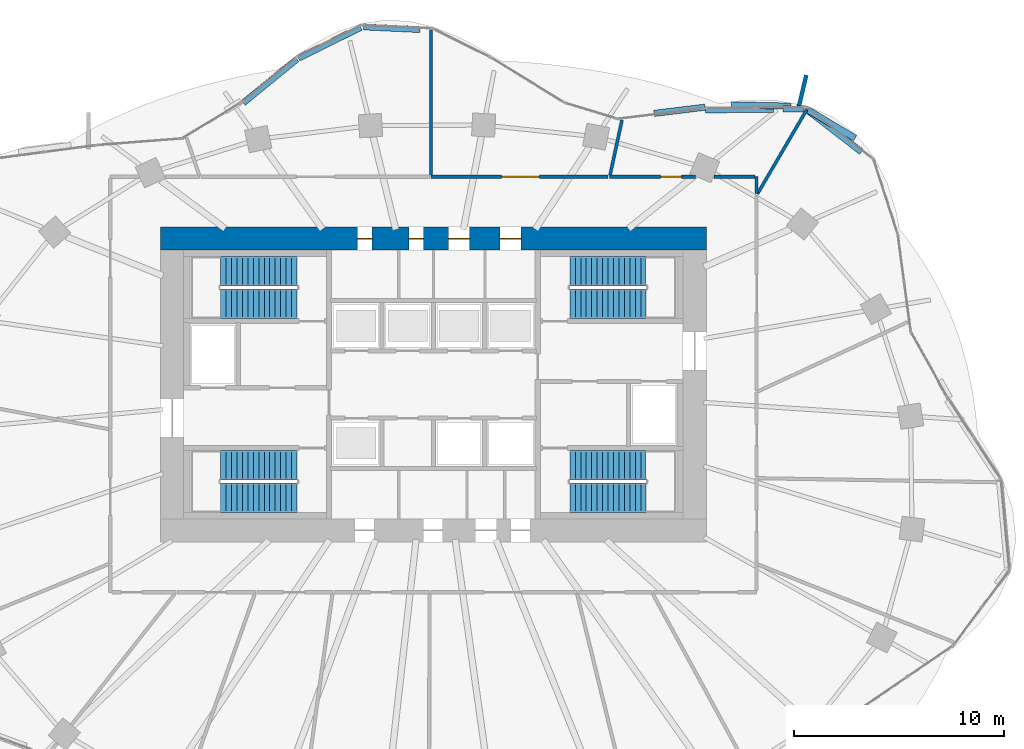
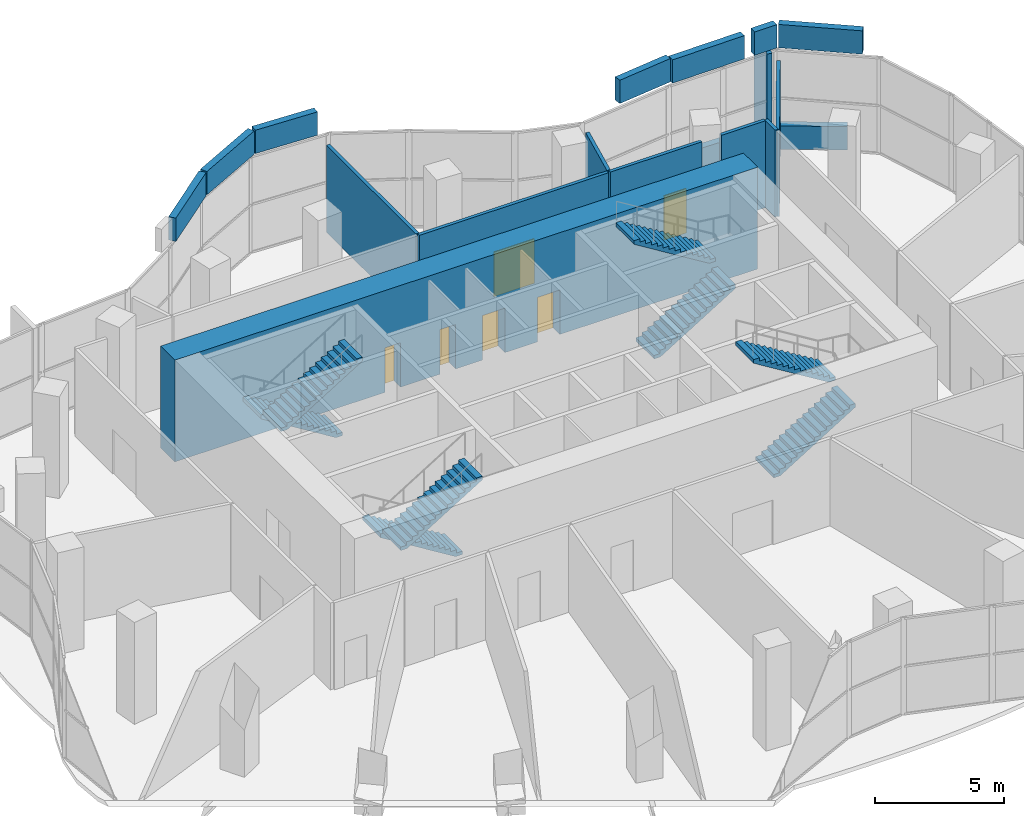
# One storey, part 14 of 16: 18 walls, 8 stair flights, 6 doors, 6 openings, 4 elements without a shape of their own.
"""IFC4 building model written with IfcOpenShell, lengths in metres."""

from ifc_helpers import new_model, si_unit, direction, frame, frame_2d, origin, place, context, subcontext, project, spatial, polyline, rectangle, outline, extrude, material, layer, layer_set, type_object, element, fill, aggregate, save


model = new_model("IFC4")

# Units and contexts
model_context = context("Model", 3, precision=1e-05, world=origin(), true_north=direction((0.0, 1.0)))
body_context = subcontext(model_context, "Body", "Model", "MODEL_VIEW")
ifc_project = project(units=[si_unit("LENGTHUNIT", "METRE"), si_unit("AREAUNIT", "SQUARE_METRE"), si_unit("VOLUMEUNIT", "CUBIC_METRE"), si_unit("PLANEANGLEUNIT", "RADIAN"), si_unit("MASSUNIT", "GRAM", prefix="KILO")], contexts=[model_context])

# Site, building, storey
site_placement = place(None, origin())
site = spatial("IfcSite", under=ifc_project, at=site_placement, CompositionType="ELEMENT")
building_placement = place(site_placement, origin())
building = spatial("IfcBuilding", under=site, at=building_placement, Name="Rubra Terraces Tower", CompositionType="ELEMENT")
storey_placement = place(building_placement, frame((0.0, 0.0, 125.699951171875)))
storey = spatial("IfcBuildingStorey", under=building, at=storey_placement, Name="L30", CompositionType="ELEMENT", Elevation=125.699951171875)

# Walls
ifc_material_1 = material(Name="Brick masonry red-brown", Category="masonry")
ifc_layer_1 = layer(ifc_material_1, 0.300048828125)
ifc_layer_set_1 = layer_set([ifc_layer_1], Name="Brick masonry red-brown")
wall_type_1 = type_object("IfcWallType", Name="Brick edge guard 300", PredefinedType="PARAPET", material=ifc_layer_set_1)
wall_1_placement = place(storey_placement, frame((14.20849609375, 17.82421875, 0.0), z_axis=(0.0, 0.0, 1.0), x_axis=(0.999761139516, -0.021855523663, 0.0)))
element("IfcWall", 1, at=wall_1_placement, inside=storey, type_object=wall_type_1, Name="Edge guard L30.1", PredefinedType="PARAPET", context=body_context, shape_type="SweptSolid", body=[
    extrude(rectangle(XDim=2.83740234375, YDim=0.300048828125, at=frame_2d((1.418701171875, 0.0))), origin(), (0.0, 0.0, 1.0), 1.10009765625),
])
wall_2_placement = place(storey_placement, frame((17.755615234375, 17.63720703125, 0.0), z_axis=(0.0, 0.0, 1.0), x_axis=(0.857429569369, -0.514601334599, 0.0)))
element("IfcWall", 2, at=wall_2_placement, inside=storey, type_object=wall_type_1, Name="Edge guard L30.2", PredefinedType="PARAPET", context=body_context, shape_type="SweptSolid", body=[
    extrude(rectangle(XDim=2.720458984375, YDim=0.300048828125, at=frame_2d((1.3603515625, 0.0))), origin(), (0.0, 0.0, 1.0), 1.10009765625),
])
ifc_layer_2 = layer(ifc_material_1, 0.300048828125)
ifc_layer_set_2 = layer_set([ifc_layer_2], Name="Brick masonry red-brown")
wall_type_2 = type_object("IfcWallType", Name="Brick parapet 300", PredefinedType="PARAPET", material=ifc_layer_set_2)
wall_3_placement = place(storey_placement, frame((20.3955078125, 15.58447265625, 4.800048828125), z_axis=(0.0, 0.0, 1.0), x_axis=(-0.791653544836, 0.610970265191, 0.0)))
element("IfcWall", 3, at=wall_3_placement, inside=storey, type_object=wall_type_2, Name="Parapet L30 bay 5", PredefinedType="PARAPET", context=body_context, shape_type="SweptSolid", body=[
    extrude(rectangle(XDim=3.276611328125, YDim=0.300048828125, at=frame_2d((1.63818359375, 0.0))), origin(), (0.0, 0.0, 1.0), 1.10009765625),
])
wall_4_placement = place(storey_placement, frame((17.654541015625, 17.6357421875, 4.800048828125), z_axis=(0.0, 0.0, 1.0), x_axis=(-0.999949189172, -0.010080628659, 0.0)))
element("IfcWall", 4, at=wall_4_placement, inside=storey, type_object=wall_type_2, Name="Parapet L30 bay 6", PredefinedType="PARAPET", context=body_context, shape_type="SweptSolid", body=[
    extrude(rectangle(XDim=0.992919921875, YDim=0.300048828125, at=frame_2d((0.49658203125, 0.0))), origin(), (0.0, 0.0, 1.0), 1.10009765625),
])
wall_5_placement = place(storey_placement, frame((16.20458984375, 17.62109375, 4.800048828125), z_axis=(0.0, 0.0, 1.0), x_axis=(-0.999950267811, -0.009973058961, 0.0)))
element("IfcWall", 5, at=wall_5_placement, inside=storey, type_object=wall_type_2, Name="Parapet L30 bay 6.2", PredefinedType="PARAPET", context=body_context, shape_type="SweptSolid", body=[
    extrude(rectangle(XDim=3.2314453125, YDim=0.300048828125, at=frame_2d((1.61572265625, 0.0))), origin(), (0.0, 0.0, 1.0), 1.10009765625),
])
wall_6_placement = place(storey_placement, frame((12.9423828125, 17.71435546875, 4.800048828125), z_axis=(0.0, 0.0, 1.0), x_axis=(-0.992648796767, -0.121030435331, 0.0)))
element("IfcWall", 6, at=wall_6_placement, inside=storey, type_object=wall_type_2, Name="Parapet L30 bay 7", PredefinedType="PARAPET", context=body_context, shape_type="SweptSolid", body=[
    extrude(rectangle(XDim=2.450927734375, YDim=0.300048828125, at=frame_2d((1.2255859375, 0.0))), origin(), (0.0, 0.0, 1.0), 1.10009765625),
])
wall_7_placement = place(storey_placement, frame((-0.639892578125, 21.416748046875, 4.800048828125), z_axis=(0.0, 0.0, 1.0), x_axis=(-0.998902248936, 0.046843324728, 0.0)))
element("IfcWall", 7, at=wall_7_placement, inside=storey, type_object=wall_type_2, Name="Parapet L30 bay 11", PredefinedType="PARAPET", context=body_context, shape_type="SweptSolid", body=[
    extrude(rectangle(XDim=2.69970703125, YDim=0.300048828125, at=frame_2d((1.349853515625, 0.0))), origin(), (0.0, 0.0, 1.0), 1.10009765625),
])
wall_8_placement = place(storey_placement, frame((-3.467041015625, 21.515869140625, 4.800048828125), z_axis=(0.0, 0.0, 1.0), x_axis=(-0.896532590338, -0.442977781003, 0.0)))
element("IfcWall", 8, at=wall_8_placement, inside=storey, type_object=wall_type_2, Name="Parapet L30 bay 12", PredefinedType="PARAPET", context=body_context, shape_type="SweptSolid", body=[
    extrude(rectangle(XDim=3.30078125, YDim=0.300048828125, at=frame_2d((1.650390625, 0.0))), origin(), (0.0, 0.0, 1.0), 1.10009765625),
])
wall_9_placement = place(storey_placement, frame((-6.5048828125, 20.00341796875, 4.800048828125), z_axis=(0.0, 0.0, 1.0), x_axis=(-0.774774389425, -0.632237807705, 0.0)))
element("IfcWall", 9, at=wall_9_placement, inside=storey, type_object=wall_type_2, Name="Parapet L30 bay 13", PredefinedType="PARAPET", context=body_context, shape_type="SweptSolid", body=[
    extrude(rectangle(XDim=3.298828125, YDim=0.300048828125, at=frame_2d((1.6494140625, 0.0))), origin(), (0.0, 0.0, 1.0), 1.10009765625),
])
ifc_layer_3 = layer(ifc_material_1, 0.199951171875)
ifc_layer_set_3 = layer_set([ifc_layer_3], Name="Brick masonry red-brown")
wall_type_3 = type_object("IfcWallType", Name="Brick wind fin 200", PredefinedType="SOLIDWALL", material=ifc_layer_set_3)
wall_10_placement = place(storey_placement, frame((17.362060546875, 17.5380859375, 0.0), z_axis=(0.0, 0.0, 1.0), x_axis=(0.230469860183, 0.973079464148, 0.0)))
element("IfcWall", 10, at=wall_10_placement, inside=storey, type_object=wall_type_3, Name="Wind fin L30 3", PredefinedType="SOLIDWALL", context=body_context, shape_type="SweptSolid", body=[
    extrude(rectangle(XDim=1.75, YDim=0.199951171875, at=frame_2d((0.875, 0.0))), origin(), (0.0, 0.0, 1.0), 4.60009765625),
])

# Wall, openings, doors
ifc_material_2 = material(Name="Concrete C60", Category="concrete")
ifc_layer_4 = layer(ifc_material_2, 1.10009765625)
ifc_layer_set_4 = layer_set([ifc_layer_4], Name="Concrete C60")
wall_type_4 = type_object("IfcWallType", Name="CORE WALL 1100 C60", PredefinedType="SHEAR", material=ifc_layer_set_4)
wall_11_placement = place(storey_placement, frame((-13.0, 11.449951171875, 0.0), z_axis=(0.0, 0.0, 1.0), x_axis=(1.0, 0.0, 0.0)))
wall_11 = element("IfcWall", 11, at=wall_11_placement, inside=storey, type_object=wall_type_4, Name="CORE WALL N L30", PredefinedType="SHEAR", context=body_context, shape_type="SweptSolid", body=[
    extrude(rectangle(XDim=26.0, YDim=1.10009765625, at=frame_2d((13.0, 0.0))), origin(), (0.0, 0.0, 1.0), 4.800048828125),
])
opening_1_placement = place(wall_11_placement, frame((9.375, 0.0, 0.0)))
opening_1 = element("IfcOpeningElement", 12, at=opening_1_placement, cuts=wall_11, Name="Opening L30.C25", PredefinedType="OPENING", context=body_context, shape_type="SweptSolid", body=[
    extrude(rectangle(XDim=0.699951171875, YDim=2.10009765625, at=frame_2d((0.35009765625, 1.050048828125))), frame((0.0, 0.56005859375, 0.0), z_axis=(0.0, -1.0, 0.0), x_axis=(1.0, 0.0, 0.0)), (0.0, 0.0, 1.0), 1.1201171875),
])
opening_2_placement = place(wall_11_placement, frame((11.824951171875, 0.0, 0.0)))
opening_2 = element("IfcOpeningElement", 13, at=opening_2_placement, cuts=wall_11, Name="Opening L30.C26", PredefinedType="OPENING", context=body_context, shape_type="SweptSolid", body=[
    extrude(rectangle(XDim=0.699951171875, YDim=2.10009765625, at=frame_2d((0.35009765625, 1.050048828125))), frame((0.0, 0.56005859375, 0.0), z_axis=(0.0, -1.0, 0.0), x_axis=(1.0, 0.0, 0.0)), (0.0, 0.0, 1.0), 1.1201171875),
])
opening_3_placement = place(wall_11_placement, frame((13.72509765625, 0.0, 0.0)))
opening_3 = element("IfcOpeningElement", 14, at=opening_3_placement, cuts=wall_11, Name="Opening L30.C27", PredefinedType="OPENING", context=body_context, shape_type="SweptSolid", body=[
    extrude(rectangle(XDim=1.0, YDim=2.10009765625, at=frame_2d((0.5, 1.050048828125))), frame((0.0, 0.56005859375, 0.0), z_axis=(0.0, -1.0, 0.0), x_axis=(1.0, 0.0, 0.0)), (0.0, 0.0, 1.0), 1.1201171875),
])
opening_4_placement = place(wall_11_placement, frame((16.175048828125, 0.0, 0.0)))
opening_4 = element("IfcOpeningElement", 15, at=opening_4_placement, cuts=wall_11, Name="Opening L30.C28", PredefinedType="OPENING", context=body_context, shape_type="SweptSolid", body=[
    extrude(rectangle(XDim=1.0, YDim=2.10009765625, at=frame_2d((0.5, 1.050048828125))), frame((0.0, 0.56005859375, 0.0), z_axis=(0.0, -1.0, 0.0), x_axis=(1.0, 0.0, 0.0)), (0.0, 0.0, 1.0), 1.1201171875),
])
ifc_material_3 = material(Name="Painted steel", Category="steel")
door_type_1 = type_object("IfcDoorType", Name="Fire door 1000x2100 single", OperationType="NOTDEFINED", PredefinedType="DOOR", material=ifc_material_3)
door_1_placement = place(opening_3_placement, origin())
door_1 = element("IfcDoor", 16, at=door_1_placement, inside=storey, type_object=door_type_1, Name="Security and building control room door", OperationType="SINGLE_SWING_LEFT", OverallHeight=2.10009765625, OverallWidth=1.0, PredefinedType="DOOR", context=body_context, shape_type="SweptSolid", body=[
    extrude(rectangle(XDim=1.0, YDim=2.10009765625, at=frame_2d((0.5, 1.050048828125))), frame((0.0, 0.02490234375, 0.0), z_axis=(0.0, -1.0, 0.0), x_axis=(1.0, 0.0, 0.0)), (0.0, 0.0, 1.0), 0.050048828125),
])
fill(opening_3, door_1)
door_2_placement = place(opening_4_placement, origin())
door_2 = element("IfcDoor", 17, at=door_2_placement, inside=storey, type_object=door_type_1, Name="General store door", OperationType="SINGLE_SWING_RIGHT", OverallHeight=2.10009765625, OverallWidth=1.0, PredefinedType="DOOR", context=body_context, shape_type="SweptSolid", body=[
    extrude(rectangle(XDim=1.0, YDim=2.10009765625, at=frame_2d((0.5, 1.050048828125))), frame((0.0, 0.02490234375, 0.0), z_axis=(0.0, -1.0, 0.0), x_axis=(1.0, 0.0, 0.0)), (0.0, 0.0, 1.0), 0.050048828125),
])
fill(opening_4, door_2)
door_type_2 = type_object("IfcDoorType", Name="Riser access door 700x2100 single", OperationType="NOTDEFINED", PredefinedType="DOOR", material=ifc_material_3)
door_3_placement = place(opening_1_placement, origin())
door_3 = element("IfcDoor", 18, at=door_3_placement, inside=storey, type_object=door_type_2, Name="Electrical riser room door", OperationType="SINGLE_SWING_LEFT", OverallHeight=2.10009765625, OverallWidth=0.699951171875, PredefinedType="DOOR", context=body_context, shape_type="SweptSolid", body=[
    extrude(rectangle(XDim=0.699951171875, YDim=2.10009765625, at=frame_2d((0.35009765625, 1.050048828125))), frame((0.0, 0.02490234375, 0.0), z_axis=(0.0, -1.0, 0.0), x_axis=(1.0, 0.0, 0.0)), (0.0, 0.0, 1.0), 0.050048828125),
])
fill(opening_1, door_3)
door_4_placement = place(opening_2_placement, origin())
door_4 = element("IfcDoor", 19, at=door_4_placement, inside=storey, type_object=door_type_2, Name="Telecoms room door", OperationType="SINGLE_SWING_RIGHT", OverallHeight=2.10009765625, OverallWidth=0.699951171875, PredefinedType="DOOR", context=body_context, shape_type="SweptSolid", body=[
    extrude(rectangle(XDim=0.699951171875, YDim=2.10009765625, at=frame_2d((0.35009765625, 1.050048828125))), frame((0.0, 0.02490234375, 0.0), z_axis=(0.0, -1.0, 0.0), x_axis=(1.0, 0.0, 0.0)), (0.0, 0.0, 1.0), 0.050048828125),
])
fill(opening_2, door_4)

# Walls
ifc_material_4 = material(Name="Plasterboard on steel stud, mineral wool infill", Category="steel")
ifc_layer_5 = layer(ifc_material_4, 0.14990234375)
ifc_layer_set_5 = layer_set([ifc_layer_5], Name="Plasterboard on steel stud, mineral wool infill")
wall_type_5 = type_object("IfcWallType", Name="CORRIDOR PARTITION 150", PredefinedType="PARTITIONING", material=ifc_layer_set_5)
wall_12_placement = place(storey_placement, frame((15.39990234375, 13.5927734375, 0.0), z_axis=(0.0, 0.0, 1.0), x_axis=(0.0, 1.0, 0.0)))
element("IfcWall", 20, at=wall_12_placement, inside=storey, type_object=wall_type_5, Name="PARTITION", PredefinedType="PARTITIONING", context=body_context, shape_type="SweptSolid", body=[
    extrude(rectangle(XDim=0.80712890625, YDim=0.14990234375, at=frame_2d((0.403564453125, 0.0))), origin(), (0.0, 0.0, 1.0), 4.09814453125),
])
wall_13_placement = place(storey_placement, frame((15.324951171875, 14.39990234375, 0.0), z_axis=(0.0, 0.0, 1.0), x_axis=(-1.0, 0.0, 0.0)))
element("IfcWall", 21, at=wall_13_placement, inside=storey, type_object=wall_type_5, Name="PARTITION", PredefinedType="PARTITIONING", context=body_context, shape_type="SweptSolid", body=[
    extrude(rectangle(XDim=1.961669921875, YDim=0.14990234375, at=frame_2d((0.98095703125, 0.0))), origin(), (0.0, 0.0, 1.0), 4.09814453125),
])

# Wall, opening, door
wall_14_placement = place(storey_placement, frame((12.485107421875, 14.39990234375, 0.0), z_axis=(0.0, 0.0, 1.0), x_axis=(-1.0, 0.0, 0.0)))
wall_14 = element("IfcWall", 22, at=wall_14_placement, inside=storey, type_object=wall_type_5, Name="PARTITION", PredefinedType="PARTITIONING", context=body_context, shape_type="SweptSolid", body=[
    extrude(rectangle(XDim=4.08544921875, YDim=0.14990234375, at=frame_2d((2.042724609375, 0.0))), origin(), (0.0, 0.0, 1.0), 4.09814453125),
])
opening_5_placement = place(wall_14_placement, frame((0.659912109375, 0.0, 0.0)))
opening_5 = element("IfcOpeningElement", 23, at=opening_5_placement, cuts=wall_14, Name="Opening 30-113", PredefinedType="OPENING", context=body_context, shape_type="SweptSolid", body=[
    extrude(rectangle(XDim=1.0, YDim=2.10009765625, at=frame_2d((0.5, 1.050048828125))), frame((0.0, 0.0849609375, 0.0), z_axis=(0.0, -1.0, 0.0), x_axis=(1.0, 0.0, 0.0)), (0.0, 0.0, 1.0), 0.169921875),
])
ifc_material_5 = material(Name="Painted timber door leaf", Category="wood")
door_type_3 = type_object("IfcDoorType", Name="ROOM DOOR 1000 X 2100", OperationType="SINGLE_SWING_LEFT", PredefinedType="DOOR", material=ifc_material_5)
door_5_placement = place(opening_5_placement, origin())
door_5 = element("IfcDoor", 24, at=door_5_placement, inside=storey, type_object=door_type_3, Name="DOOR 30-113", OperationType="SINGLE_SWING_RIGHT", OverallHeight=2.10009765625, OverallWidth=1.0, PredefinedType="DOOR", context=body_context, shape_type="SweptSolid", body=[
    extrude(rectangle(XDim=1.0, YDim=2.10009765625, at=frame_2d((0.5, 1.050048828125))), frame((0.0, 0.02490234375, 0.0), z_axis=(0.0, -1.0, 0.0), x_axis=(1.0, 0.0, 0.0)), (0.0, 0.0, 1.0), 0.050048828125),
])
fill(opening_5, door_5)

wall_15_placement = place(storey_placement, frame((8.32470703125, 14.39990234375, 0.0), z_axis=(0.0, 0.0, 1.0), x_axis=(-1.0, 0.0, 0.0)))
wall_15 = element("IfcWall", 25, at=wall_15_placement, inside=storey, type_object=wall_type_5, Name="PARTITION", PredefinedType="PARTITIONING", context=body_context, shape_type="SweptSolid", body=[
    extrude(rectangle(XDim=8.434326171875, YDim=0.14990234375, at=frame_2d((4.21728515625, 0.0))), origin(), (0.0, 0.0, 1.0), 4.09814453125),
])
opening_6_placement = place(wall_15_placement, frame((3.280029296875, 0.0, 0.0)))
opening_6 = element("IfcOpeningElement", 26, at=opening_6_placement, cuts=wall_15, Name="Opening 30-114", PredefinedType="OPENING", context=body_context, shape_type="SweptSolid", body=[
    extrude(rectangle(XDim=1.800048828125, YDim=2.10009765625, at=frame_2d((0.89990234375, 1.050048828125))), frame((0.0, 0.0849609375, 0.0), z_axis=(0.0, -1.0, 0.0), x_axis=(1.0, 0.0, 0.0)), (0.0, 0.0, 1.0), 0.169921875),
])
ifc_material_6 = material(Name="Painted timber door leaf, double", Category="wood")
door_type_4 = type_object("IfcDoorType", Name="ROOM DOUBLE DOOR 1800 X 2100", OperationType="DOUBLE_DOOR_SINGLE_SWING", PredefinedType="DOOR", material=ifc_material_6)
door_6_placement = place(opening_6_placement, origin())
door_6 = element("IfcDoor", 27, at=door_6_placement, inside=storey, type_object=door_type_4, Name="DOOR 30-114", OperationType="DOUBLE_DOOR_SINGLE_SWING", OverallHeight=2.10009765625, OverallWidth=1.800048828125, PredefinedType="DOOR", context=body_context, shape_type="SweptSolid", body=[
    extrude(rectangle(XDim=1.800048828125, YDim=2.10009765625, at=frame_2d((0.89990234375, 1.050048828125))), frame((0.0, 0.02490234375, 0.0), z_axis=(0.0, -1.0, 0.0), x_axis=(1.0, 0.0, 0.0)), (0.0, 0.0, 1.0), 0.050048828125),
])
fill(opening_6, door_6)

# Walls
ifc_material_7 = material(Name="Plasterboard on steel stud", Category="steel")
ifc_layer_6 = layer(ifc_material_7, 0.14990234375)
ifc_layer_set_6 = layer_set([ifc_layer_6], Name="Plasterboard on steel stud")
wall_type_6 = type_object("IfcWallType", Name="ROOM PARTITION 150", PredefinedType="PARTITIONING", material=ifc_layer_set_6)
wall_16_placement = place(storey_placement, frame((17.783203125, 17.587890625, 0.0), z_axis=(0.0, 0.0, 1.0), x_axis=(-0.505276661202, -0.862957412417, 0.0)))
element("IfcWall", 28, at=wall_16_placement, inside=storey, type_object=wall_type_6, Name="PARTITION", PredefinedType="PARTITIONING", context=body_context, shape_type="SweptSolid", body=[
    extrude(rectangle(XDim=4.641357421875, YDim=0.14990234375, at=frame_2d((2.32080078125, 0.0))), origin(), (0.0, 0.0, 1.0), 4.09814453125),
])
wall_17_placement = place(storey_placement, frame((8.982421875, 17.095458984375, 0.0), z_axis=(0.0, 0.0, 1.0), x_axis=(-0.211318693695, -0.97741721373, 0.0)))
element("IfcWall", 29, at=wall_17_placement, inside=storey, type_object=wall_type_6, Name="PARTITION", PredefinedType="PARTITIONING", context=body_context, shape_type="SweptSolid", body=[
    extrude(rectangle(XDim=2.6826171875, YDim=0.14990234375, at=frame_2d((1.34130859375, 0.0))), origin(), (0.0, 0.0, 1.0), 4.09814453125),
])
wall_18_placement = place(storey_placement, frame((-0.116943359375, 21.38232421875, 0.0), z_axis=(0.0, 0.0, 1.0), x_axis=(0.001060369827, -0.999999437808, 0.0)))
element("IfcWall", 30, at=wall_18_placement, inside=storey, type_object=wall_type_6, Name="PARTITION", PredefinedType="PARTITIONING", context=body_context, shape_type="SweptSolid", body=[
    extrude(rectangle(XDim=6.9072265625, YDim=0.14990234375, at=frame_2d((3.45361328125, 0.0))), origin(), (0.0, 0.0, 1.0), 4.09814453125),
])

# Stair, stair flights
ifc_material_8 = material(Name="Concrete C40", Category="concrete")
stair_type = type_object("IfcStairType", Name="Core stair 1400", PredefinedType="HALF_TURN_STAIR", material=ifc_material_8)
stair_1_placement = place(storey_placement, origin())
stair_1 = element("IfcStair", 31, at=stair_1_placement, inside=storey, type_object=stair_type, Name="L30 Exit stair S1", PredefinedType="HALF_TURN_STAIR")
stair_flight_type = type_object("IfcStairFlightType", Name="Core stair flight 1400", PredefinedType="STRAIGHT", material=ifc_material_8)
stair_flight_1_placement = place(storey_placement, frame((-6.5, 0.64990234375, 0.0), z_axis=(0.0, 0.0, 1.0), x_axis=(-1.0, 0.0, 0.0)))
stair_flight_1 = element("IfcStairFlight", 32, at=stair_flight_1_placement, type_object=stair_flight_type, Name="S1 flight 1", NumberOfRisers=15, NumberOfTreads=14, PredefinedType="STRAIGHT", RiserHeight=0.16, TreadLength=0.26, context=body_context, shape_type="SweptSolid", body=[
    extrude(outline(polyline([(0.0, 0.0), (0.0, 0.159912109375), (0.260009765625, 0.159912109375), (0.260009765625, 0.320068359375), (0.52001953125, 0.320068359375), (0.52001953125, 0.47998046875), (0.780029296875, 0.47998046875), (0.780029296875, 0.639892578125), (1.0400390625, 0.639892578125), (1.0400390625, 0.800048828125), (1.300048828125, 0.800048828125), (1.300048828125, 0.9599609375), (1.56005859375, 0.9599609375), (1.56005859375, 1.1201171875), (1.820068359375, 1.1201171875), (1.820068359375, 1.280029296875), (2.080078125, 1.280029296875), (2.080078125, 1.43994140625), (2.340087890625, 1.43994140625), (2.340087890625, 1.60009765625), (2.60009765625, 1.60009765625), (2.60009765625, 1.760009765625), (2.860107421875, 1.760009765625), (2.860107421875, 1.919921875), (3.1201171875, 1.919921875), (3.1201171875, 2.080078125), (3.3798828125, 2.080078125), (3.3798828125, 2.239990234375), (3.639892578125, 2.239990234375), (3.639892578125, 2.39990234375), (3.639892578125, 2.06396484375), (0.2861328125, 0.0), (0.0, 0.0)])), frame((0.0, 0.699951171875, 0.0), z_axis=(0.0, -1.0, 0.0), x_axis=(1.0, 0.0, 0.0)), (0.0, 0.0, 1.0), 1.39990234375),
])
stair_flight_2_placement = place(storey_placement, frame((-10.139892578125, -0.89990234375, 2.400146484375), z_axis=(0.0, 0.0, 1.0), x_axis=(1.0, 0.0, 0.0)))
stair_flight_2 = element("IfcStairFlight", 33, at=stair_flight_2_placement, type_object=stair_flight_type, Name="S1 flight 2", NumberOfRisers=15, NumberOfTreads=14, PredefinedType="STRAIGHT", RiserHeight=0.16, TreadLength=0.26, context=body_context, shape_type="SweptSolid", body=[
    extrude(outline(polyline([(0.0, 0.0), (0.0, 0.159912109375), (0.260009765625, 0.159912109375), (0.260009765625, 0.320068359375), (0.52001953125, 0.320068359375), (0.52001953125, 0.47998046875), (0.780029296875, 0.47998046875), (0.780029296875, 0.639892578125), (1.0400390625, 0.639892578125), (1.0400390625, 0.800048828125), (1.300048828125, 0.800048828125), (1.300048828125, 0.9599609375), (1.56005859375, 0.9599609375), (1.56005859375, 1.1201171875), (1.820068359375, 1.1201171875), (1.820068359375, 1.280029296875), (2.080078125, 1.280029296875), (2.080078125, 1.43994140625), (2.340087890625, 1.43994140625), (2.340087890625, 1.60009765625), (2.60009765625, 1.60009765625), (2.60009765625, 1.760009765625), (2.860107421875, 1.760009765625), (2.860107421875, 1.919921875), (3.1201171875, 1.919921875), (3.1201171875, 2.080078125), (3.3798828125, 2.080078125), (3.3798828125, 2.239990234375), (3.639892578125, 2.239990234375), (3.639892578125, 2.39990234375), (3.639892578125, 2.06396484375), (0.2861328125, 0.0), (0.0, 0.0)])), frame((0.0, 0.699951171875, 0.0), z_axis=(0.0, -1.0, 0.0), x_axis=(1.0, 0.0, 0.0)), (0.0, 0.0, 1.0), 1.39990234375),
])
aggregate(stair_1, [stair_flight_1, stair_flight_2])

stair_2_placement = place(storey_placement, origin())
stair_2 = element("IfcStair", 34, at=stair_2_placement, inside=storey, type_object=stair_type, Name="L30 Exit stair S2", PredefinedType="HALF_TURN_STAIR")
stair_flight_3_placement = place(storey_placement, frame((-6.5, 9.89990234375, 0.0), z_axis=(0.0, 0.0, 1.0), x_axis=(-1.0, 0.0, 0.0)))
stair_flight_3 = element("IfcStairFlight", 35, at=stair_flight_3_placement, type_object=stair_flight_type, Name="S2 flight 1", NumberOfRisers=15, NumberOfTreads=14, PredefinedType="STRAIGHT", RiserHeight=0.16, TreadLength=0.26, context=body_context, shape_type="SweptSolid", body=[
    extrude(outline(polyline([(0.0, 0.0), (0.0, 0.159912109375), (0.260009765625, 0.159912109375), (0.260009765625, 0.320068359375), (0.52001953125, 0.320068359375), (0.52001953125, 0.47998046875), (0.780029296875, 0.47998046875), (0.780029296875, 0.639892578125), (1.0400390625, 0.639892578125), (1.0400390625, 0.800048828125), (1.300048828125, 0.800048828125), (1.300048828125, 0.9599609375), (1.56005859375, 0.9599609375), (1.56005859375, 1.1201171875), (1.820068359375, 1.1201171875), (1.820068359375, 1.280029296875), (2.080078125, 1.280029296875), (2.080078125, 1.43994140625), (2.340087890625, 1.43994140625), (2.340087890625, 1.60009765625), (2.60009765625, 1.60009765625), (2.60009765625, 1.760009765625), (2.860107421875, 1.760009765625), (2.860107421875, 1.919921875), (3.1201171875, 1.919921875), (3.1201171875, 2.080078125), (3.3798828125, 2.080078125), (3.3798828125, 2.239990234375), (3.639892578125, 2.239990234375), (3.639892578125, 2.39990234375), (3.639892578125, 2.06396484375), (0.2861328125, 0.0), (0.0, 0.0)])), frame((0.0, 0.699951171875, 0.0), z_axis=(0.0, -1.0, 0.0), x_axis=(1.0, 0.0, 0.0)), (0.0, 0.0, 1.0), 1.39990234375),
])
stair_flight_4_placement = place(storey_placement, frame((-10.139892578125, 8.35009765625, 2.400146484375), z_axis=(0.0, 0.0, 1.0), x_axis=(1.0, 0.0, 0.0)))
stair_flight_4 = element("IfcStairFlight", 36, at=stair_flight_4_placement, type_object=stair_flight_type, Name="S2 flight 2", NumberOfRisers=15, NumberOfTreads=14, PredefinedType="STRAIGHT", RiserHeight=0.16, TreadLength=0.26, context=body_context, shape_type="SweptSolid", body=[
    extrude(outline(polyline([(0.0, 0.0), (0.0, 0.159912109375), (0.260009765625, 0.159912109375), (0.260009765625, 0.320068359375), (0.52001953125, 0.320068359375), (0.52001953125, 0.47998046875), (0.780029296875, 0.47998046875), (0.780029296875, 0.639892578125), (1.0400390625, 0.639892578125), (1.0400390625, 0.800048828125), (1.300048828125, 0.800048828125), (1.300048828125, 0.9599609375), (1.56005859375, 0.9599609375), (1.56005859375, 1.1201171875), (1.820068359375, 1.1201171875), (1.820068359375, 1.280029296875), (2.080078125, 1.280029296875), (2.080078125, 1.43994140625), (2.340087890625, 1.43994140625), (2.340087890625, 1.60009765625), (2.60009765625, 1.60009765625), (2.60009765625, 1.760009765625), (2.860107421875, 1.760009765625), (2.860107421875, 1.919921875), (3.1201171875, 1.919921875), (3.1201171875, 2.080078125), (3.3798828125, 2.080078125), (3.3798828125, 2.239990234375), (3.639892578125, 2.239990234375), (3.639892578125, 2.39990234375), (3.639892578125, 2.06396484375), (0.2861328125, 0.0), (0.0, 0.0)])), frame((0.0, 0.699951171875, 0.0), z_axis=(0.0, -1.0, 0.0), x_axis=(1.0, 0.0, 0.0)), (0.0, 0.0, 1.0), 1.39990234375),
])
aggregate(stair_2, [stair_flight_3, stair_flight_4])

stair_3_placement = place(storey_placement, origin())
stair_3 = element("IfcStair", 37, at=stair_3_placement, inside=storey, type_object=stair_type, Name="L30 Exit stair S3", PredefinedType="HALF_TURN_STAIR")
stair_flight_5_placement = place(storey_placement, frame((6.5, 8.35009765625, 0.0), z_axis=(0.0, 0.0, 1.0), x_axis=(1.0, 0.0, 0.0)))
stair_flight_5 = element("IfcStairFlight", 38, at=stair_flight_5_placement, type_object=stair_flight_type, Name="S3 flight 1", NumberOfRisers=15, NumberOfTreads=14, PredefinedType="STRAIGHT", RiserHeight=0.16, TreadLength=0.26, context=body_context, shape_type="SweptSolid", body=[
    extrude(outline(polyline([(0.0, 0.0), (0.0, 0.159912109375), (0.260009765625, 0.159912109375), (0.260009765625, 0.320068359375), (0.52001953125, 0.320068359375), (0.52001953125, 0.47998046875), (0.780029296875, 0.47998046875), (0.780029296875, 0.639892578125), (1.0400390625, 0.639892578125), (1.0400390625, 0.800048828125), (1.300048828125, 0.800048828125), (1.300048828125, 0.9599609375), (1.56005859375, 0.9599609375), (1.56005859375, 1.1201171875), (1.820068359375, 1.1201171875), (1.820068359375, 1.280029296875), (2.080078125, 1.280029296875), (2.080078125, 1.43994140625), (2.340087890625, 1.43994140625), (2.340087890625, 1.60009765625), (2.60009765625, 1.60009765625), (2.60009765625, 1.760009765625), (2.860107421875, 1.760009765625), (2.860107421875, 1.919921875), (3.1201171875, 1.919921875), (3.1201171875, 2.080078125), (3.3798828125, 2.080078125), (3.3798828125, 2.239990234375), (3.639892578125, 2.239990234375), (3.639892578125, 2.39990234375), (3.639892578125, 2.06396484375), (0.2861328125, 0.0), (0.0, 0.0)])), frame((0.0, 0.699951171875, 0.0), z_axis=(0.0, -1.0, 0.0), x_axis=(1.0, 0.0, 0.0)), (0.0, 0.0, 1.0), 1.39990234375),
])
stair_flight_6_placement = place(storey_placement, frame((10.139892578125, 9.89990234375, 2.400146484375), z_axis=(0.0, 0.0, 1.0), x_axis=(-1.0, 0.0, 0.0)))
stair_flight_6 = element("IfcStairFlight", 39, at=stair_flight_6_placement, type_object=stair_flight_type, Name="S3 flight 2", NumberOfRisers=15, NumberOfTreads=14, PredefinedType="STRAIGHT", RiserHeight=0.16, TreadLength=0.26, context=body_context, shape_type="SweptSolid", body=[
    extrude(outline(polyline([(0.0, 0.0), (0.0, 0.159912109375), (0.260009765625, 0.159912109375), (0.260009765625, 0.320068359375), (0.52001953125, 0.320068359375), (0.52001953125, 0.47998046875), (0.780029296875, 0.47998046875), (0.780029296875, 0.639892578125), (1.0400390625, 0.639892578125), (1.0400390625, 0.800048828125), (1.300048828125, 0.800048828125), (1.300048828125, 0.9599609375), (1.56005859375, 0.9599609375), (1.56005859375, 1.1201171875), (1.820068359375, 1.1201171875), (1.820068359375, 1.280029296875), (2.080078125, 1.280029296875), (2.080078125, 1.43994140625), (2.340087890625, 1.43994140625), (2.340087890625, 1.60009765625), (2.60009765625, 1.60009765625), (2.60009765625, 1.760009765625), (2.860107421875, 1.760009765625), (2.860107421875, 1.919921875), (3.1201171875, 1.919921875), (3.1201171875, 2.080078125), (3.3798828125, 2.080078125), (3.3798828125, 2.239990234375), (3.639892578125, 2.239990234375), (3.639892578125, 2.39990234375), (3.639892578125, 2.06396484375), (0.2861328125, 0.0), (0.0, 0.0)])), frame((0.0, 0.699951171875, 0.0), z_axis=(0.0, -1.0, 0.0), x_axis=(1.0, 0.0, 0.0)), (0.0, 0.0, 1.0), 1.39990234375),
])
aggregate(stair_3, [stair_flight_5, stair_flight_6])

stair_4_placement = place(storey_placement, origin())
stair_4 = element("IfcStair", 40, at=stair_4_placement, inside=storey, type_object=stair_type, Name="L30 Exit stair S4", PredefinedType="HALF_TURN_STAIR")
stair_flight_7_placement = place(storey_placement, frame((6.5, -0.89990234375, 0.0), z_axis=(0.0, 0.0, 1.0), x_axis=(1.0, 0.0, 0.0)))
stair_flight_7 = element("IfcStairFlight", 41, at=stair_flight_7_placement, type_object=stair_flight_type, Name="S4 flight 1", NumberOfRisers=15, NumberOfTreads=14, PredefinedType="STRAIGHT", RiserHeight=0.16, TreadLength=0.26, context=body_context, shape_type="SweptSolid", body=[
    extrude(outline(polyline([(0.0, 0.0), (0.0, 0.159912109375), (0.260009765625, 0.159912109375), (0.260009765625, 0.320068359375), (0.52001953125, 0.320068359375), (0.52001953125, 0.47998046875), (0.780029296875, 0.47998046875), (0.780029296875, 0.639892578125), (1.0400390625, 0.639892578125), (1.0400390625, 0.800048828125), (1.300048828125, 0.800048828125), (1.300048828125, 0.9599609375), (1.56005859375, 0.9599609375), (1.56005859375, 1.1201171875), (1.820068359375, 1.1201171875), (1.820068359375, 1.280029296875), (2.080078125, 1.280029296875), (2.080078125, 1.43994140625), (2.340087890625, 1.43994140625), (2.340087890625, 1.60009765625), (2.60009765625, 1.60009765625), (2.60009765625, 1.760009765625), (2.860107421875, 1.760009765625), (2.860107421875, 1.919921875), (3.1201171875, 1.919921875), (3.1201171875, 2.080078125), (3.3798828125, 2.080078125), (3.3798828125, 2.239990234375), (3.639892578125, 2.239990234375), (3.639892578125, 2.39990234375), (3.639892578125, 2.06396484375), (0.2861328125, 0.0), (0.0, 0.0)])), frame((0.0, 0.699951171875, 0.0), z_axis=(0.0, -1.0, 0.0), x_axis=(1.0, 0.0, 0.0)), (0.0, 0.0, 1.0), 1.39990234375),
])
stair_flight_8_placement = place(storey_placement, frame((10.139892578125, 0.64990234375, 2.400146484375), z_axis=(0.0, 0.0, 1.0), x_axis=(-1.0, 0.0, 0.0)))
stair_flight_8 = element("IfcStairFlight", 42, at=stair_flight_8_placement, type_object=stair_flight_type, Name="S4 flight 2", NumberOfRisers=15, NumberOfTreads=14, PredefinedType="STRAIGHT", RiserHeight=0.16, TreadLength=0.26, context=body_context, shape_type="SweptSolid", body=[
    extrude(outline(polyline([(0.0, 0.0), (0.0, 0.159912109375), (0.260009765625, 0.159912109375), (0.260009765625, 0.320068359375), (0.52001953125, 0.320068359375), (0.52001953125, 0.47998046875), (0.780029296875, 0.47998046875), (0.780029296875, 0.639892578125), (1.0400390625, 0.639892578125), (1.0400390625, 0.800048828125), (1.300048828125, 0.800048828125), (1.300048828125, 0.9599609375), (1.56005859375, 0.9599609375), (1.56005859375, 1.1201171875), (1.820068359375, 1.1201171875), (1.820068359375, 1.280029296875), (2.080078125, 1.280029296875), (2.080078125, 1.43994140625), (2.340087890625, 1.43994140625), (2.340087890625, 1.60009765625), (2.60009765625, 1.60009765625), (2.60009765625, 1.760009765625), (2.860107421875, 1.760009765625), (2.860107421875, 1.919921875), (3.1201171875, 1.919921875), (3.1201171875, 2.080078125), (3.3798828125, 2.080078125), (3.3798828125, 2.239990234375), (3.639892578125, 2.239990234375), (3.639892578125, 2.39990234375), (3.639892578125, 2.06396484375), (0.2861328125, 0.0), (0.0, 0.0)])), frame((0.0, 0.699951171875, 0.0), z_axis=(0.0, -1.0, 0.0), x_axis=(1.0, 0.0, 0.0)), (0.0, 0.0, 1.0), 1.39990234375),
])
aggregate(stair_4, [stair_flight_7, stair_flight_8])

save(model, "model.ifc")
